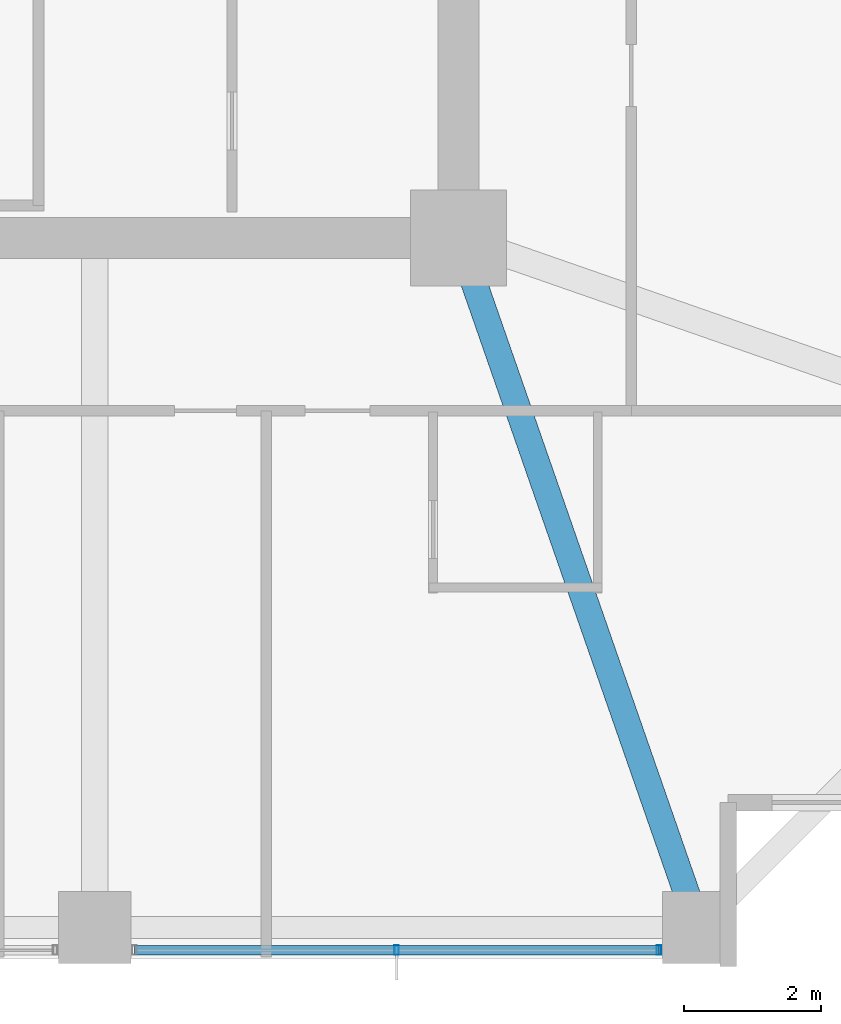
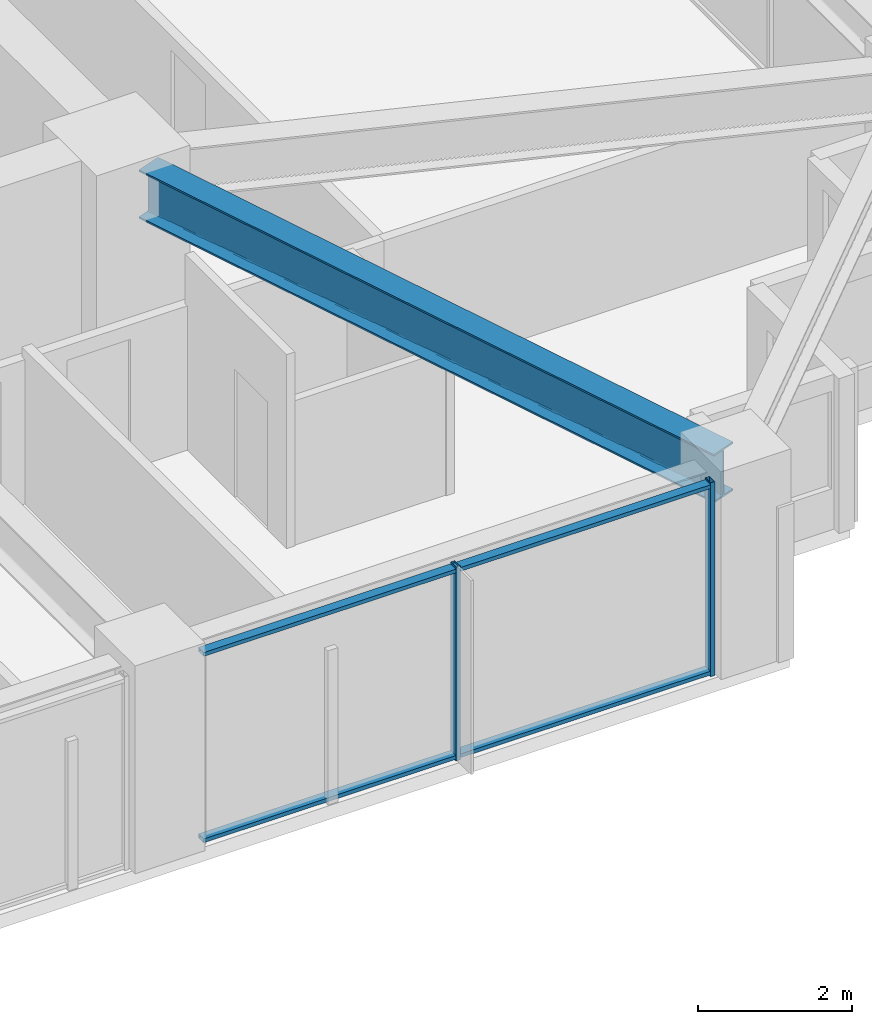
# One storey, part 12 of 36: 4 members, 1 beam, 1 element without a shape of its own.
"""IFC4 building model written with IfcOpenShell, lengths in metres."""

from ifc_helpers import new_model, si_unit, direction, frame, origin, origin_2d, place, context, subcontext, project, spatial, hollow_rectangle, i_section, extrude, material, material_profile, profile_set, type_object, element, aggregate, save


model = new_model("IFC4")

# Units and contexts
model_context = context("Model", 3, precision=1e-05, world=origin(), true_north=direction((0.0, 1.0)))
body_context = subcontext(model_context, "Body", "Model", "MODEL_VIEW")
ifc_project = project(units=[si_unit("LENGTHUNIT", "METRE"), si_unit("AREAUNIT", "SQUARE_METRE"), si_unit("VOLUMEUNIT", "CUBIC_METRE"), si_unit("PLANEANGLEUNIT", "RADIAN"), si_unit("MASSUNIT", "GRAM", prefix="KILO")], contexts=[model_context])

# Site, building, storey
site_placement = place(None, origin())
site = spatial("IfcSite", under=ifc_project, at=site_placement, CompositionType="ELEMENT")
building_placement = place(site_placement, origin())
building = spatial("IfcBuilding", under=site, at=building_placement, Name="Kolvaren Belvedere", CompositionType="ELEMENT")
storey_placement = place(building_placement, frame((0.0, 0.0, 95.300048828125)))
storey = spatial("IfcBuildingStorey", under=building, at=storey_placement, Name="L27", CompositionType="ELEMENT", Elevation=95.300048828125)

# Beam
ifc_material_1 = material(Name="Structural steel ASTM A992 Grade 50", Category="steel")
ifc_material_profile_1 = material_profile(ifc_material_1, i_section(OverallWidth=0.381103515625, OverallDepth=0.77294921875, WebThickness=0.0166015625, FlangeThickness=0.027099609375, FilletRadius=0.02392578125, at=origin_2d()), Name="W30X173")
ifc_profile_set_1 = profile_set([ifc_material_profile_1], Name="Structural steel ASTM A992 Grade 50")
beam_type = type_object("IfcBeamType", Name="BM-GIRD-W30X173", PredefinedType="BEAM", material=ifc_profile_set_1)
beam_placement = place(storey_placement, frame((10.080810546875, -10.41943359375, 2.693359375), z_axis=(0.328880894453, -0.944371408538, 0.0), x_axis=(0.944371408538, 0.328880894453, 0.0)))
element("IfcBeam", 1, at=beam_placement, inside=storey, type_object=beam_type, Name="L27 Corner Core-to-Perimeter Girder CC2-S4", PredefinedType="BEAM", context=body_context, shape_type="SweptSolid", body=[
    extrude(i_section(OverallWidth=0.381103515625, OverallDepth=0.77294921875, WebThickness=0.0166015625, FlangeThickness=0.027099609375, FilletRadius=0.02392578125, at=origin_2d()), origin(), (0.0, 0.0, 1.0), 9.882080078125),
])

# Curtain wall, members
ifc_material_2 = material(Name="Anodised pale-metal aluminium AA 6063-T6", Category="aluminium")
curtain_wall_type = type_object("IfcCurtainWallType", Name="CW-Z2-MID", PredefinedType="NOTDEFINED", material=ifc_material_2)
curtain_wall_placement = place(storey_placement, origin())
curtain_wall = element("IfcCurtainWall", 2, at=curtain_wall_placement, inside=storey, type_object=curtain_wall_type, Name="L27 Unitised Curtain Wall FCW-L27-S-B1", PredefinedType="NOTDEFINED")
ifc_material_3 = material(Name="Anodised pale-metal aluminium AA 6063-T6", Category="aluminium")
ifc_material_profile_2 = material_profile(ifc_material_3, hollow_rectangle(XDim=0.06494140625, YDim=0.139892578125, WallThickness=0.00390625, at=origin_2d()), Name="ALU-MUL-140X65")
ifc_profile_set_2 = profile_set([ifc_material_profile_2], Name="Anodised pale-metal aluminium AA 6063-T6")
member_type_1 = type_object("IfcMemberType", Name="CW-MUL-140", PredefinedType="MULLION", material=ifc_profile_set_2)
member_1_placement = place(storey_placement, frame((12.822509765625, -20.280029296875, 0.0), z_axis=(0.0, 0.0, 1.0), x_axis=(1.0, 0.0, 0.0)))
member_1 = element("IfcMember", 3, at=member_1_placement, type_object=member_type_1, Name="FCW-L27-S-B1 Unitised Mullion 1", PredefinedType="MULLION", context=body_context, shape_type="SweptSolid", body=[
    extrude(hollow_rectangle(XDim=0.06494140625, YDim=0.139892578125, WallThickness=0.00390625, at=origin_2d()), origin(), (0.0, 0.0, 1.0), 3.079833984375),
])
member_2_placement = place(storey_placement, frame((9.0, -20.280029296875, 0.0), z_axis=(0.0, 0.0, 1.0), x_axis=(1.0, 0.0, 0.0)))
member_2 = element("IfcMember", 4, at=member_2_placement, type_object=member_type_1, Name="FCW-L27-S-B1 Unitised Mullion 2", PredefinedType="MULLION", context=body_context, shape_type="SweptSolid", body=[
    extrude(hollow_rectangle(XDim=0.06494140625, YDim=0.139892578125, WallThickness=0.00390625, at=origin_2d()), origin(), (0.0, 0.0, 1.0), 3.079833984375),
])
ifc_material_4 = material(Name="Anodised pale-metal aluminium AA 6063-T6", Category="aluminium")
ifc_material_profile_3 = material_profile(ifc_material_4, hollow_rectangle(XDim=0.06005859375, YDim=0.139892578125, WallThickness=0.00390625, at=origin_2d()), Name="ALU-TRN-140X60")
ifc_profile_set_3 = profile_set([ifc_material_profile_3], Name="Anodised pale-metal aluminium AA 6063-T6")
member_type_2 = type_object("IfcMemberType", Name="CW-TRN-140", PredefinedType="USERDEFINED", material=ifc_profile_set_3)
member_3_placement = place(storey_placement, frame((12.822509765625, -20.280029296875, 0.06005859375), z_axis=(-1.0, 0.0, 0.0), x_axis=(0.0, 0.0, 1.0)))
member_3 = element("IfcMember", 5, at=member_3_placement, type_object=member_type_2, Name="FCW-L27-S-B1 Sill Transom", ObjectType="TRANSOM", PredefinedType="USERDEFINED", context=body_context, shape_type="SweptSolid", body=[
    extrude(hollow_rectangle(XDim=0.06005859375, YDim=0.139892578125, WallThickness=0.00390625, at=origin_2d()), origin(), (0.0, 0.0, 1.0), 7.64501953125),
])
member_4_placement = place(storey_placement, frame((12.822509765625, -20.280029296875, 3.02001953125), z_axis=(-1.0, 0.0, 0.0), x_axis=(0.0, 0.0, 1.0)))
member_4 = element("IfcMember", 6, at=member_4_placement, type_object=member_type_2, Name="FCW-L27-S-B1 Head Transom", ObjectType="TRANSOM", PredefinedType="USERDEFINED", context=body_context, shape_type="SweptSolid", body=[
    extrude(hollow_rectangle(XDim=0.06005859375, YDim=0.139892578125, WallThickness=0.00390625, at=origin_2d()), origin(), (0.0, 0.0, 1.0), 7.64501953125),
])
aggregate(curtain_wall, [member_1, member_2, member_3, member_4])

save(model, "model.ifc")
